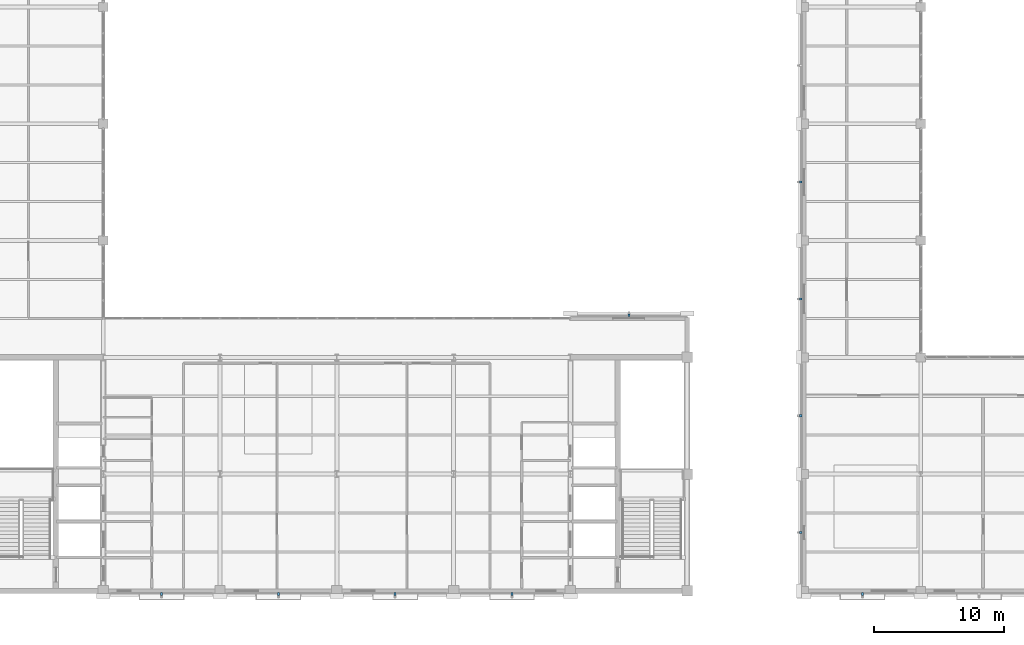
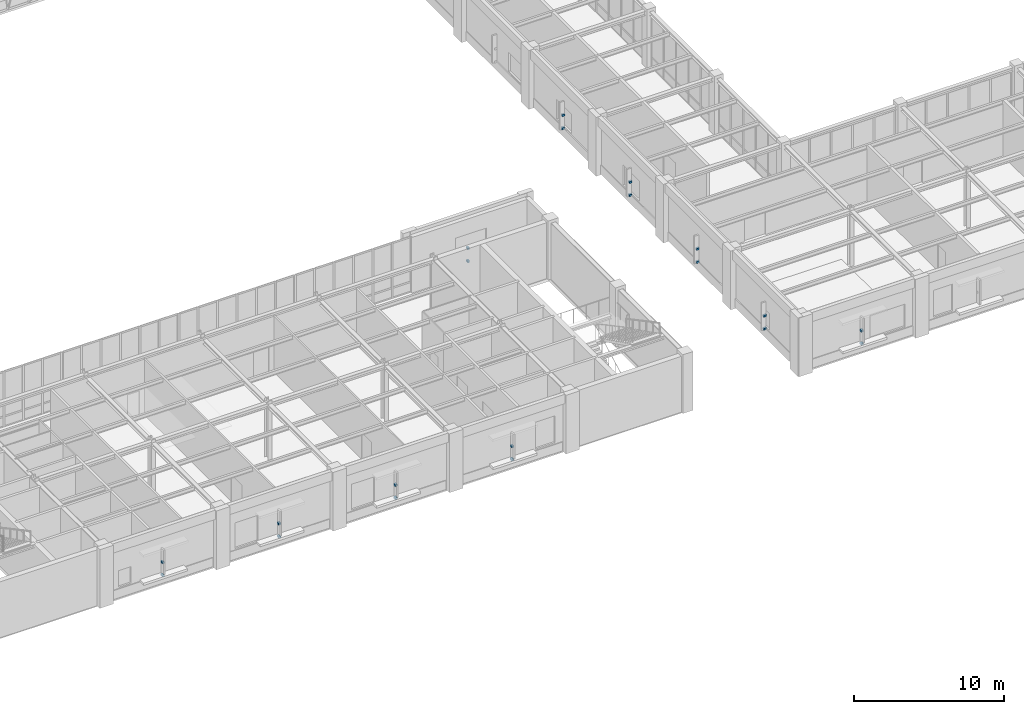
# One storey, part 87 of 98: 20 discrete accessories.
"""IFC4 building model written with IfcOpenShell, lengths in metres."""

from ifc_helpers import new_model, si_unit, direction, frame, origin, origin_2d, place, context, subcontext, project, spatial, rectangle, extrude, material, type_object, element, save


model = new_model("IFC4")

# Units and contexts
model_context = context("Model", 3, precision=1e-05, world=origin(), true_north=direction((0.0, 1.0)))
body_context = subcontext(model_context, "Body", "Model", "MODEL_VIEW")
ifc_project = project(units=[si_unit("LENGTHUNIT", "METRE"), si_unit("AREAUNIT", "SQUARE_METRE"), si_unit("VOLUMEUNIT", "CUBIC_METRE"), si_unit("PLANEANGLEUNIT", "RADIAN"), si_unit("MASSUNIT", "GRAM", prefix="KILO")], contexts=[model_context])

# Site, building, storey
site_placement = place(None, origin())
site = spatial("IfcSite", under=ifc_project, at=site_placement, CompositionType="ELEMENT")
building_placement = place(site_placement, origin())
building = spatial("IfcBuilding", under=site, at=building_placement, Name="Lykobir Media Centre", CompositionType="ELEMENT")
storey_placement = place(building_placement, frame((0.0, 0.0, 10.199951171875)))
storey = spatial("IfcBuildingStorey", under=building, at=storey_placement, Name="L02", CompositionType="ELEMENT", Elevation=10.199951171875)

# Discrete accessories
ifc_material = material(Name="Steel S355", Category="steel")
discrete_accessory_type = type_object("IfcDiscreteAccessoryType", Name="ACC-BRK", PredefinedType="BRACKET", material=ifc_material)
for number, where, z_axis, x_axis, name in (
    (1, (40.5, -0.2451171875, 0.7001953125), (0.0, 0.0, 1.0), (1.0, 0.0, 0.0), "Cumba corbel bracket 1"),
    (2, (40.5, -0.2451171875, 1.77001953125), (0.0, 0.0, 1.0), (1.0, 0.0, 0.0), "Shading fin bracket 2"),
    (3, (49.5, -0.2451171875, 0.7001953125), (0.0, 0.0, 1.0), (1.0, 0.0, 0.0), "Cumba corbel bracket 3"),
    (4, (49.5, -0.2451171875, 1.77001953125), (0.0, 0.0, 1.0), (1.0, 0.0, 0.0), "Shading fin bracket 4"),
    (5, (58.5, -0.2451171875, 0.7001953125), (0.0, 0.0, 1.0), (1.0, 0.0, 0.0), "Cumba corbel bracket 5"),
    (6, (58.5, -0.2451171875, 1.77001953125), (0.0, 0.0, 1.0), (1.0, 0.0, 0.0), "Shading fin bracket 6"),
    (7, (67.5, -0.2451171875, 0.7001953125), (0.0, 0.0, 1.0), (1.0, 0.0, 0.0), "Cumba corbel bracket 7"),
    (8, (67.5, -0.2451171875, 1.77001953125), (0.0, 0.0, 1.0), (1.0, 0.0, 0.0), "Shading fin bracket 8"),
    (9, (76.5, 21.2451171875, 0.7001953125), (0.0, 0.0, 1.0), (-1.0, 0.0, 0.0), "Cumba corbel bracket 9"),
    (10, (76.5, 21.2451171875, 1.77001953125), (0.0, 0.0, 1.0), (-1.0, 0.0, 0.0), "Shading fin bracket 10"),
    (11, (89.7548828125, 22.5, 0.7001953125), (0.0, 0.0, 1.0), (0.0, -1.0, 0.0), "Cumba corbel bracket 19"),
    (12, (89.7548828125, 22.5, 1.77001953125), (0.0, 0.0, 1.0), (0.0, -1.0, 0.0), "Shading fin bracket 20"),
    (13, (89.7548828125, 31.5, 0.7001953125), (0.0, 0.0, 1.0), (0.0, -1.0, 0.0), "Cumba corbel bracket 21"),
    (14, (89.7548828125, 31.5, 1.77001953125), (0.0, 0.0, 1.0), (0.0, -1.0, 0.0), "Shading fin bracket 22"),
    (15, (89.7548828125, 4.5, 0.7001953125), (0.0, 0.0, 1.0), (0.0, -1.0, 0.0), "Cumba corbel bracket 31"),
    (16, (89.7548828125, 4.5, 1.77001953125), (0.0, 0.0, 1.0), (0.0, -1.0, 0.0), "Shading fin bracket 32"),
    (17, (89.7548828125, 13.5, 0.7001953125), (0.0, 0.0, 1.0), (0.0, -1.0, 0.0), "Cumba corbel bracket 33"),
    (18, (89.7548828125, 13.5, 1.77001953125), (0.0, 0.0, 1.0), (0.0, -1.0, 0.0), "Shading fin bracket 34"),
    (19, (94.5, -0.2451171875, 0.7001953125), (0.0, 0.0, 1.0), (1.0, 0.0, 0.0), "Cumba corbel bracket 35"),
    (20, (94.5, -0.2451171875, 1.77001953125), (0.0, 0.0, 1.0), (1.0, 0.0, 0.0), "Shading fin bracket 36"),
):
    element("IfcDiscreteAccessory", number, at=place(storey_placement, frame(where, z_axis=z_axis, x_axis=x_axis)), inside=storey, type_object=discrete_accessory_type, Name=name, PredefinedType="BRACKET", context=body_context, shape_type="SweptSolid", body=[
        extrude(rectangle(XDim=0.159912109375, YDim=0.219970703125, at=origin_2d()), origin(), (0.0, 0.0, 1.0), 0.159912109375),
    ])

save(model, "model.ifc")
